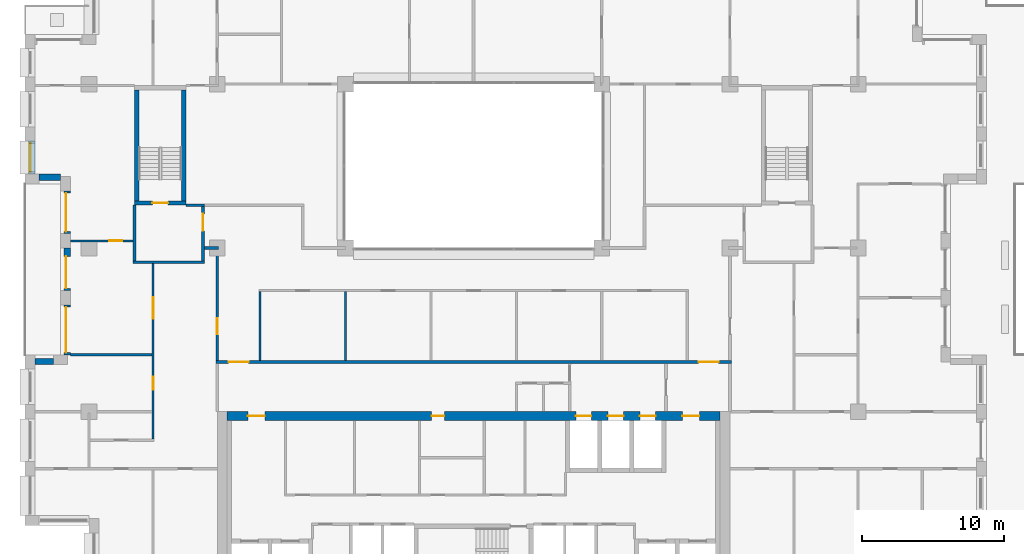
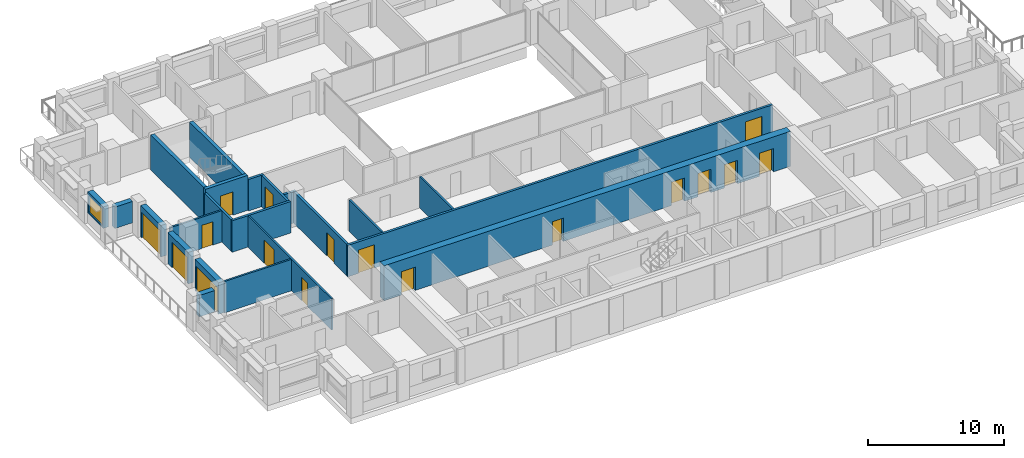
# One storey, part 9 of 17: 22 walls, 17 doors, 1 window, 18 openings.
"""IFC4 building model written with IfcOpenShell, lengths in metres."""

from ifc_helpers import new_model, si_unit, direction, frame, frame_2d, origin, place, context, subcontext, project, spatial, rectangle, extrude, material, layer, layer_set, type_object, element, fill, save


model = new_model("IFC4")

# Units and contexts
model_context = context("Model", 3, precision=1e-05, world=origin(), true_north=direction((0.0, 1.0)))
body_context = subcontext(model_context, "Body", "Model", "MODEL_VIEW")
ifc_project = project(units=[si_unit("LENGTHUNIT", "METRE"), si_unit("AREAUNIT", "SQUARE_METRE"), si_unit("VOLUMEUNIT", "CUBIC_METRE"), si_unit("PLANEANGLEUNIT", "RADIAN"), si_unit("MASSUNIT", "GRAM", prefix="KILO")], contexts=[model_context])

# Site, building, storey
site_placement = place(None, origin())
site = spatial("IfcSite", under=ifc_project, at=site_placement, CompositionType="ELEMENT")
building_placement = place(site_placement, origin())
building = spatial("IfcBuilding", under=site, at=building_placement, Name="Brigalow Station Residences", CompositionType="ELEMENT")
storey_placement = place(building_placement, frame((0.0, 0.0, 141.300048828125)))
storey = spatial("IfcBuildingStorey", under=building, at=storey_placement, Name="L40", CompositionType="ELEMENT", Elevation=141.300048828125)

# Wall, opening, window
ifc_material_1 = material(Name="Clay brick masonry", Category="masonry")
ifc_layer_1 = layer(ifc_material_1, 0.449951171875)
ifc_layer_set_1 = layer_set([ifc_layer_1], Name="BRICK INFILL WALL 450")
wall_type_1 = type_object("IfcWallType", Name="BRICK INFILL WALL 450", PredefinedType="SOLIDWALL", material=ifc_layer_set_1)
wall_1_placement = place(storey_placement, frame((4.97509765625, 31.5, 0.89990234375), z_axis=(0.0, 0.0, 1.0), x_axis=(0.0, -1.0, 0.0)))
wall_1 = element("IfcWall", 1, at=wall_1_placement, inside=storey, type_object=wall_type_1, Name="L40/ewall/W-L40-39", PredefinedType="SOLIDWALL", context=body_context, shape_type="SweptSolid", body=[
    extrude(rectangle(XDim=2.300048828125, YDim=0.449951171875, at=frame_2d((1.14990234375, 0.0))), origin(), (0.0, 0.0, 1.0), 1.929931640625),
])
opening_1_placement = place(wall_1_placement, frame((0.14990234375, 0.0, 0.14990234375)))
opening_1 = element("IfcOpeningElement", 2, at=opening_1_placement, cuts=wall_1, Name="Opening WT-7", PredefinedType="OPENING", context=body_context, shape_type="SweptSolid", body=[
    extrude(rectangle(XDim=2.0, YDim=1.5, at=frame_2d((1.0, 0.75))), frame((0.0, 0.23486328125, 0.0), z_axis=(0.0, -1.0, 0.0), x_axis=(1.0, 0.0, 0.0)), (0.0, 0.0, 1.0), 0.469970703125),
])
ifc_material_2 = material(Name="Anodised aluminium frame with double glazing", Category="aluminium")
window_type = type_object("IfcWindowType", Name="WINDOW 2000x1500", PartitioningType="SINGLE_PANEL", PredefinedType="WINDOW", material=ifc_material_2)
window_placement = place(opening_1_placement, origin())
window = element("IfcWindow", 3, at=window_placement, inside=storey, type_object=window_type, Name="L40/window/W-L40-39", OverallHeight=1.5, OverallWidth=2.0, PartitioningType="SINGLE_PANEL", PredefinedType="WINDOW", context=body_context, shape_type="SweptSolid", body=[
    extrude(rectangle(XDim=2.0, YDim=1.5, at=frame_2d((1.0, 0.75))), frame((0.0, -0.06494140625, 0.0), z_axis=(0.0, -1.0, 0.0), x_axis=(1.0, 0.0, 0.0)), (0.0, 0.0, 1.0), 0.06005859375),
])
fill(opening_1, window)

# Wall
wall_2_placement = place(storey_placement, frame((5.5, 28.97509765625, 0.89990234375), z_axis=(0.0, 0.0, 1.0), x_axis=(1.0, 0.0, 0.0)))
element("IfcWall", 4, at=wall_2_placement, inside=storey, type_object=wall_type_1, Name="L40/ewall/W-L40-40", PredefinedType="SOLIDWALL", context=body_context, shape_type="SweptSolid", body=[
    extrude(rectangle(XDim=1.5, YDim=0.449951171875, at=frame_2d((0.75, 0.0))), origin(), (0.0, 0.0, 1.0), 1.929931640625),
])

# Wall, opening, door
wall_3_placement = place(storey_placement, frame((7.47509765625, 28.0, 0.0), z_axis=(0.0, 0.0, 1.0), x_axis=(0.0, -1.0, 0.0)))
wall_3 = element("IfcWall", 5, at=wall_3_placement, inside=storey, type_object=wall_type_1, Name="L40/ewall/W-L40-41", PredefinedType="SOLIDWALL", context=body_context, shape_type="SweptSolid", body=[
    extrude(rectangle(XDim=3.0, YDim=0.449951171875, at=frame_2d((1.5, 0.0))), origin(), (0.0, 0.0, 1.0), 2.829833984375),
])
opening_2_placement = place(wall_3_placement, frame((0.14990234375, 0.0, 0.0)))
opening_2 = element("IfcOpeningElement", 6, at=opening_2_placement, cuts=wall_3, Name="Opening D-B2700", PredefinedType="OPENING", context=body_context, shape_type="SweptSolid", body=[
    extrude(rectangle(XDim=2.699951171875, YDim=2.300048828125, at=frame_2d((1.35009765625, 1.14990234375))), frame((0.0, 0.23486328125, 0.0), z_axis=(0.0, -1.0, 0.0), x_axis=(1.0, 0.0, 0.0)), (0.0, 0.0, 1.0), 0.469970703125),
])
ifc_material_3 = material(Name="Anodised aluminium frame with double glazing", Category="aluminium")
door_type_1 = type_object("IfcDoorType", Name="BALCONY SLIDING DOOR 2700x2300", OperationType="SLIDING_TO_LEFT", PredefinedType="DOOR", material=ifc_material_3)
door_1_placement = place(opening_2_placement, origin())
door_1 = element("IfcDoor", 7, at=door_1_placement, inside=storey, type_object=door_type_1, Name="L40/balcony-door/W-L40-41", OperationType="SLIDING_TO_LEFT", OverallHeight=2.300048828125, OverallWidth=2.699951171875, PredefinedType="DOOR", context=body_context, shape_type="SweptSolid", body=[
    extrude(rectangle(XDim=2.699951171875, YDim=2.300048828125, at=frame_2d((1.35009765625, 1.14990234375))), frame((0.0, -0.06982421875, 0.0), z_axis=(0.0, -1.0, 0.0), x_axis=(1.0, 0.0, 0.0)), (0.0, 0.0, 1.0), 0.050048828125),
])
fill(opening_2, door_1)

wall_4_placement = place(storey_placement, frame((7.47509765625, 24.0, 0.0), z_axis=(0.0, 0.0, 1.0), x_axis=(0.0, -1.0, 0.0)))
wall_4 = element("IfcWall", 8, at=wall_4_placement, inside=storey, type_object=wall_type_1, Name="L40/ewall/W-L40-42", PredefinedType="SOLIDWALL", context=body_context, shape_type="SweptSolid", body=[
    extrude(rectangle(XDim=3.0, YDim=0.449951171875, at=frame_2d((1.5, 0.0))), origin(), (0.0, 0.0, 1.0), 2.829833984375),
])
opening_3_placement = place(wall_4_placement, frame((0.5849609375, 0.0, 0.0)))
opening_3 = element("IfcOpeningElement", 9, at=opening_3_placement, cuts=wall_4, Name="Opening D-B2250", PredefinedType="OPENING", context=body_context, shape_type="SweptSolid", body=[
    extrude(rectangle(XDim=2.25, YDim=2.300048828125, at=frame_2d((1.125, 1.14990234375))), frame((0.0, 0.23486328125, 0.0), z_axis=(0.0, -1.0, 0.0), x_axis=(1.0, 0.0, 0.0)), (0.0, 0.0, 1.0), 0.469970703125),
])
ifc_material_4 = material(Name="Anodised aluminium frame with double glazing", Category="aluminium")
door_type_2 = type_object("IfcDoorType", Name="BALCONY SLIDING DOOR 2250x2300", OperationType="SLIDING_TO_LEFT", PredefinedType="DOOR", material=ifc_material_4)
door_2_placement = place(opening_3_placement, origin())
door_2 = element("IfcDoor", 10, at=door_2_placement, inside=storey, type_object=door_type_2, Name="L40/balcony-door/W-L40-42", OperationType="SLIDING_TO_LEFT", OverallHeight=2.300048828125, OverallWidth=2.25, PredefinedType="DOOR", context=body_context, shape_type="SweptSolid", body=[
    extrude(rectangle(XDim=2.25, YDim=2.300048828125, at=frame_2d((1.125, 1.14990234375))), frame((0.0, -0.06982421875, 0.0), z_axis=(0.0, -1.0, 0.0), x_axis=(1.0, 0.0, 0.0)), (0.0, 0.0, 1.0), 0.050048828125),
])
fill(opening_3, door_2)

wall_5_placement = place(storey_placement, frame((7.47509765625, 20.0, 0.0), z_axis=(0.0, 0.0, 1.0), x_axis=(0.0, -1.0, 0.0)))
wall_5 = element("IfcWall", 11, at=wall_5_placement, inside=storey, type_object=wall_type_1, Name="L40/ewall/W-L40-43", PredefinedType="SOLIDWALL", context=body_context, shape_type="SweptSolid", body=[
    extrude(rectangle(XDim=3.5, YDim=0.449951171875, at=frame_2d((1.75, 0.0))), origin(), (0.0, 0.0, 1.0), 2.829833984375),
])
opening_4_placement = place(wall_5_placement, frame((0.14990234375, 0.0, 0.0)))
opening_4 = element("IfcOpeningElement", 12, at=opening_4_placement, cuts=wall_5, Name="Opening D-B3200", PredefinedType="OPENING", context=body_context, shape_type="SweptSolid", body=[
    extrude(rectangle(XDim=3.199951171875, YDim=2.300048828125, at=frame_2d((1.60009765625, 1.14990234375))), frame((0.0, 0.23486328125, 0.0), z_axis=(0.0, -1.0, 0.0), x_axis=(1.0, 0.0, 0.0)), (0.0, 0.0, 1.0), 0.469970703125),
])
ifc_material_5 = material(Name="Anodised aluminium frame with double glazing", Category="aluminium")
door_type_3 = type_object("IfcDoorType", Name="BALCONY SLIDING DOOR 3200x2300", OperationType="SLIDING_TO_LEFT", PredefinedType="DOOR", material=ifc_material_5)
door_3_placement = place(opening_4_placement, origin())
door_3 = element("IfcDoor", 13, at=door_3_placement, inside=storey, type_object=door_type_3, Name="L40/balcony-door/W-L40-43", OperationType="SLIDING_TO_LEFT", OverallHeight=2.300048828125, OverallWidth=3.199951171875, PredefinedType="DOOR", context=body_context, shape_type="SweptSolid", body=[
    extrude(rectangle(XDim=3.199951171875, YDim=2.300048828125, at=frame_2d((1.60009765625, 1.14990234375))), frame((0.0, -0.06982421875, 0.0), z_axis=(0.0, -1.0, 0.0), x_axis=(1.0, 0.0, 0.0)), (0.0, 0.0, 1.0), 0.050048828125),
])
fill(opening_4, door_3)

# Wall
wall_6_placement = place(storey_placement, frame((6.5, 16.02490234375, 0.89990234375), z_axis=(0.0, 0.0, 1.0), x_axis=(-1.0, 0.0, 0.0)))
element("IfcWall", 14, at=wall_6_placement, inside=storey, type_object=wall_type_1, Name="L40/ewall/W-L40-44", PredefinedType="SOLIDWALL", context=body_context, shape_type="SweptSolid", body=[
    extrude(rectangle(XDim=1.300048828125, YDim=0.449951171875, at=frame_2d((0.64990234375, 0.0))), origin(), (0.0, 0.0, 1.0), 1.929931640625),
])

# Wall, opening, door
ifc_material_6 = material(Name="Concrete C65", Category="concrete")
ifc_layer_2 = layer(ifc_material_6, 0.300048828125)
ifc_layer_set_2 = layer_set([ifc_layer_2], Name="CORE SHEAR WALL 300 C65")
wall_type_2 = type_object("IfcWallType", Name="CORE SHEAR WALL 300 C65", PredefinedType="SHEAR", material=ifc_layer_set_2)
wall_7_placement = place(storey_placement, frame((12.199951171875, 27.14990234375, 0.0), z_axis=(0.0, 0.0, 1.0), x_axis=(1.0, 0.0, 0.0)))
wall_7 = element("IfcWall", 15, at=wall_7_placement, inside=storey, type_object=wall_type_2, Name="CORE WALL ST-S1-S L40", PredefinedType="SHEAR", context=body_context, shape_type="SweptSolid", body=[
    extrude(rectangle(XDim=3.60009765625, YDim=0.300048828125, at=frame_2d((1.800048828125, 0.0))), origin(), (0.0, 0.0, 1.0), 3.14990234375),
])
opening_5_placement = place(wall_7_placement, frame((1.25, 0.0, 0.0)))
opening_5 = element("IfcOpeningElement", 16, at=opening_5_placement, cuts=wall_7, Name="Opening D-5015", PredefinedType="OPENING", context=body_context, shape_type="SweptSolid", body=[
    extrude(rectangle(XDim=1.10009765625, YDim=2.10009765625, at=frame_2d((0.550048828125, 1.050048828125))), frame((0.0, 0.16015625, 0.0), z_axis=(0.0, -1.0, 0.0), x_axis=(1.0, 0.0, 0.0)), (0.0, 0.0, 1.0), 0.320068359375),
])
ifc_material_7 = material(Name="Steel fire door leaf in steel frame", Category="steel")
door_type_4 = type_object("IfcDoorType", Name="STAIR DOOR 1100 x 2100 FD60S", OperationType="SINGLE_SWING_LEFT", PredefinedType="DOOR", material=ifc_material_7)
door_4_placement = place(opening_5_placement, origin())
door_4 = element("IfcDoor", 17, at=door_4_placement, inside=storey, type_object=door_type_4, Name="D-5015", OperationType="SINGLE_SWING_LEFT", OverallHeight=2.10009765625, OverallWidth=1.10009765625, PredefinedType="DOOR", context=body_context, shape_type="SweptSolid", body=[
    extrude(rectangle(XDim=1.10009765625, YDim=2.10009765625, at=frame_2d((0.550048828125, 1.050048828125))), frame((0.0, 0.02490234375, 0.0), z_axis=(0.0, -1.0, 0.0), x_axis=(1.0, 0.0, 0.0)), (0.0, 0.0, 1.0), 0.050048828125),
])
fill(opening_5, door_4)

# Walls
for number, where, z_axis, x_axis, name in (
    (18, (12.35009765625, 27.300048828125, 0.0), (0.0, 0.0, 1.0), (0.0, 1.0, 0.0), "CORE WALL ST-S1-W L40"),
    (19, (15.64990234375, 27.300048828125, 0.0), (0.0, 0.0, 1.0), (0.0, 1.0, 0.0), "CORE WALL ST-S1-E L40"),
):
    element("IfcWall", number, at=place(storey_placement, frame(where, z_axis=z_axis, x_axis=x_axis)), inside=storey, type_object=wall_type_2, Name=name, PredefinedType="SHEAR", context=body_context, shape_type="SweptSolid", body=[
        extrude(rectangle(XDim=7.800048828125, YDim=0.300048828125, at=frame_2d((3.89990234375, 0.0))), origin(), (0.0, 0.0, 1.0), 3.14990234375),
    ])

# Wall, openings, doors
ifc_material_8 = material(Name="Concrete C65", Category="concrete")
ifc_layer_3 = layer(ifc_material_8, 0.60009765625)
ifc_layer_set_3 = layer_set([ifc_layer_3], Name="CORE SHEAR WALL 600 C65")
wall_type_3 = type_object("IfcWallType", Name="CORE SHEAR WALL 600 C65", PredefinedType="SHEAR", material=ifc_layer_set_3)
wall_8_placement = place(storey_placement, frame((18.699951171875, 12.199951171875, 0.0), z_axis=(0.0, 0.0, 1.0), x_axis=(1.0, 0.0, 0.0)))
wall_8 = element("IfcWall", 20, at=wall_8_placement, inside=storey, type_object=wall_type_3, Name="CORE WALL OUT-N L40", PredefinedType="SHEAR", context=body_context, shape_type="SweptSolid", body=[
    extrude(rectangle(XDim=34.60009765625, YDim=0.60009765625, at=frame_2d((17.300048828125, 0.0))), origin(), (0.0, 0.0, 1.0), 3.14990234375),
])
opening_6_placement = place(wall_8_placement, frame((24.47509765625, 0.0, 0.0)))
opening_6 = element("IfcOpeningElement", 21, at=opening_6_placement, cuts=wall_8, Name="Opening LD-LF1", PredefinedType="OPENING", context=body_context, shape_type="SweptSolid", body=[
    extrude(rectangle(XDim=1.10009765625, YDim=2.10009765625, at=frame_2d((0.550048828125, 1.050048828125))), frame((0.0, 0.31005859375, 0.0), z_axis=(0.0, -1.0, 0.0), x_axis=(1.0, 0.0, 0.0)), (0.0, 0.0, 1.0), 0.6201171875),
])
opening_7_placement = place(wall_8_placement, frame((26.72509765625, 0.0, 0.0)))
opening_7 = element("IfcOpeningElement", 22, at=opening_7_placement, cuts=wall_8, Name="Opening LD-LF2", PredefinedType="OPENING", context=body_context, shape_type="SweptSolid", body=[
    extrude(rectangle(XDim=1.10009765625, YDim=2.10009765625, at=frame_2d((0.550048828125, 1.050048828125))), frame((0.0, 0.31005859375, 0.0), z_axis=(0.0, -1.0, 0.0), x_axis=(1.0, 0.0, 0.0)), (0.0, 0.0, 1.0), 0.6201171875),
])
opening_8_placement = place(wall_8_placement, frame((28.97509765625, 0.0, 0.0)))
opening_8 = element("IfcOpeningElement", 23, at=opening_8_placement, cuts=wall_8, Name="Opening LD-LG1", PredefinedType="OPENING", context=body_context, shape_type="SweptSolid", body=[
    extrude(rectangle(XDim=1.10009765625, YDim=2.10009765625, at=frame_2d((0.550048828125, 1.050048828125))), frame((0.0, 0.31005859375, 0.0), z_axis=(0.0, -1.0, 0.0), x_axis=(1.0, 0.0, 0.0)), (0.0, 0.0, 1.0), 0.6201171875),
])
opening_9_placement = place(wall_8_placement, frame((14.35009765625, 0.0, 0.0)))
opening_9 = element("IfcOpeningElement", 24, at=opening_9_placement, cuts=wall_8, Name="Opening D-5113", PredefinedType="OPENING", context=body_context, shape_type="SweptSolid", body=[
    extrude(rectangle(XDim=0.89990234375, YDim=2.10009765625, at=frame_2d((0.449951171875, 1.050048828125))), frame((0.0, 0.31005859375, 0.0), z_axis=(0.0, -1.0, 0.0), x_axis=(1.0, 0.0, 0.0)), (0.0, 0.0, 1.0), 0.6201171875),
])
opening_10_placement = place(wall_8_placement, frame((1.449951171875, 0.0, 0.0)))
opening_10 = element("IfcOpeningElement", 25, at=opening_10_placement, cuts=wall_8, Name="Opening D-5011", PredefinedType="OPENING", context=body_context, shape_type="SweptSolid", body=[
    extrude(rectangle(XDim=1.199951171875, YDim=2.10009765625, at=frame_2d((0.60009765625, 1.050048828125))), frame((0.0, 0.31005859375, 0.0), z_axis=(0.0, -1.0, 0.0), x_axis=(1.0, 0.0, 0.0)), (0.0, 0.0, 1.0), 0.6201171875),
])
opening_11_placement = place(wall_8_placement, frame((31.949951171875, 0.0, 0.0)))
opening_11 = element("IfcOpeningElement", 26, at=opening_11_placement, cuts=wall_8, Name="Opening D-5012", PredefinedType="OPENING", context=body_context, shape_type="SweptSolid", body=[
    extrude(rectangle(XDim=1.199951171875, YDim=2.10009765625, at=frame_2d((0.60009765625, 1.050048828125))), frame((0.0, 0.31005859375, 0.0), z_axis=(0.0, -1.0, 0.0), x_axis=(1.0, 0.0, 0.0)), (0.0, 0.0, 1.0), 0.6201171875),
])
ifc_material_9 = material(Name="Steel fire door leaf in steel frame", Category="steel")
door_type_5 = type_object("IfcDoorType", Name="CORE CORRIDOR DOOR 1200 x 2100 FD60S", OperationType="SINGLE_SWING_LEFT", PredefinedType="DOOR", material=ifc_material_9)
door_5_placement = place(opening_10_placement, frame((1.199951171875, 0.0, 0.0), z_axis=(0.0, 0.0, 1.0), x_axis=(-1.0, 0.0, 0.0)))
door_5 = element("IfcDoor", 27, at=door_5_placement, inside=storey, type_object=door_type_5, Name="D-5011", OperationType="SINGLE_SWING_LEFT", OverallHeight=2.10009765625, OverallWidth=1.199951171875, PredefinedType="DOOR", context=body_context, shape_type="SweptSolid", body=[
    extrude(rectangle(XDim=1.199951171875, YDim=2.10009765625, at=frame_2d((0.60009765625, 1.050048828125))), frame((0.0, 0.02490234375, 0.0), z_axis=(0.0, -1.0, 0.0), x_axis=(1.0, 0.0, 0.0)), (0.0, 0.0, 1.0), 0.050048828125),
])
fill(opening_10, door_5)
door_6_placement = place(opening_11_placement, frame((1.199951171875, 0.0, 0.0), z_axis=(0.0, 0.0, 1.0), x_axis=(-1.0, 0.0, 0.0)))
door_6 = element("IfcDoor", 28, at=door_6_placement, inside=storey, type_object=door_type_5, Name="D-5012", OperationType="SINGLE_SWING_RIGHT", OverallHeight=2.10009765625, OverallWidth=1.199951171875, PredefinedType="DOOR", context=body_context, shape_type="SweptSolid", body=[
    extrude(rectangle(XDim=1.199951171875, YDim=2.10009765625, at=frame_2d((0.60009765625, 1.050048828125))), frame((0.0, 0.02490234375, 0.0), z_axis=(0.0, -1.0, 0.0), x_axis=(1.0, 0.0, 0.0)), (0.0, 0.0, 1.0), 0.050048828125),
])
fill(opening_11, door_6)
ifc_material_10 = material(Name="Stainless steel sliding door leaves", Category="steel")
door_type_6 = type_object("IfcDoorType", Name="LIFT LANDING DOOR 1100 x 2100", OperationType="DOUBLE_DOOR_SLIDING", PredefinedType="DOOR", material=ifc_material_10)
door_7_placement = place(opening_6_placement, origin())
door_7 = element("IfcDoor", 29, at=door_7_placement, inside=storey, type_object=door_type_6, Name="LANDING DOOR LF1", OperationType="DOUBLE_DOOR_SLIDING", OverallHeight=2.10009765625, OverallWidth=1.10009765625, PredefinedType="DOOR", context=body_context, shape_type="SweptSolid", body=[
    extrude(rectangle(XDim=1.10009765625, YDim=2.10009765625, at=frame_2d((0.550048828125, 1.050048828125))), frame((0.0, 0.02490234375, 0.0), z_axis=(0.0, -1.0, 0.0), x_axis=(1.0, 0.0, 0.0)), (0.0, 0.0, 1.0), 0.050048828125),
])
fill(opening_6, door_7)
door_8_placement = place(opening_7_placement, origin())
door_8 = element("IfcDoor", 30, at=door_8_placement, inside=storey, type_object=door_type_6, Name="LANDING DOOR LF2", OperationType="DOUBLE_DOOR_SLIDING", OverallHeight=2.10009765625, OverallWidth=1.10009765625, PredefinedType="DOOR", context=body_context, shape_type="SweptSolid", body=[
    extrude(rectangle(XDim=1.10009765625, YDim=2.10009765625, at=frame_2d((0.550048828125, 1.050048828125))), frame((0.0, 0.02490234375, 0.0), z_axis=(0.0, -1.0, 0.0), x_axis=(1.0, 0.0, 0.0)), (0.0, 0.0, 1.0), 0.050048828125),
])
fill(opening_7, door_8)
door_9_placement = place(opening_8_placement, origin())
door_9 = element("IfcDoor", 31, at=door_9_placement, inside=storey, type_object=door_type_6, Name="LANDING DOOR LG1", OperationType="DOUBLE_DOOR_SLIDING", OverallHeight=2.10009765625, OverallWidth=1.10009765625, PredefinedType="DOOR", context=body_context, shape_type="SweptSolid", body=[
    extrude(rectangle(XDim=1.10009765625, YDim=2.10009765625, at=frame_2d((0.550048828125, 1.050048828125))), frame((0.0, 0.02490234375, 0.0), z_axis=(0.0, -1.0, 0.0), x_axis=(1.0, 0.0, 0.0)), (0.0, 0.0, 1.0), 0.050048828125),
])
fill(opening_8, door_9)
ifc_material_11 = material(Name="Steel door leaf in steel frame", Category="steel")
door_type_7 = type_object("IfcDoorType", Name="SERVICE ROOM DOOR 900 x 2100 FD60", OperationType="SINGLE_SWING_LEFT", PredefinedType="DOOR", material=ifc_material_11)
door_10_placement = place(opening_9_placement, frame((0.89990234375, 0.0, 0.0), z_axis=(0.0, 0.0, 1.0), x_axis=(-1.0, 0.0, 0.0)))
door_10 = element("IfcDoor", 32, at=door_10_placement, inside=storey, type_object=door_type_7, Name="D-5113", OperationType="SINGLE_SWING_RIGHT", OverallHeight=2.10009765625, OverallWidth=0.89990234375, PredefinedType="DOOR", context=body_context, shape_type="SweptSolid", body=[
    extrude(rectangle(XDim=0.89990234375, YDim=2.10009765625, at=frame_2d((0.449951171875, 1.050048828125))), frame((0.0, 0.02490234375, 0.0), z_axis=(0.0, -1.0, 0.0), x_axis=(1.0, 0.0, 0.0)), (0.0, 0.0, 1.0), 0.050048828125),
])
fill(opening_9, door_10)

# Walls
ifc_material_12 = material(Name="Concrete blockwork", Category="masonry")
ifc_layer_4 = layer(ifc_material_12, 0.199951171875)
ifc_layer_set_4 = layer_set([ifc_layer_4], Name="FIRE RATED CORE PARTITION 200")
wall_type_4 = type_object("IfcWallType", Name="FIRE RATED CORE PARTITION 200", PredefinedType="PARTITIONING", material=ifc_layer_set_4)
wall_9_placement = place(storey_placement, frame((12.10009765625, 23.0, 0.0), z_axis=(0.0, 0.0, 1.0), x_axis=(1.0, 0.0, 0.0)))
element("IfcWall", 33, at=wall_9_placement, inside=storey, type_object=wall_type_4, Name="PW-5023", PredefinedType="PARTITIONING", context=body_context, shape_type="SweptSolid", body=[
    extrude(rectangle(XDim=5.0, YDim=0.199951171875, at=frame_2d((2.5, 0.0))), origin(), (0.0, 0.0, 1.0), 2.829833984375),
])
wall_10_placement = place(storey_placement, frame((15.800048828125, 27.0, 0.0), z_axis=(0.0, 0.0, 1.0), x_axis=(1.0, 0.0, 0.0)))
element("IfcWall", 34, at=wall_10_placement, inside=storey, type_object=wall_type_4, Name="PW-5025", PredefinedType="PARTITIONING", context=body_context, shape_type="SweptSolid", body=[
    extrude(rectangle(XDim=1.300048828125, YDim=0.199951171875, at=frame_2d((0.64990234375, 0.0))), origin(), (0.0, 0.0, 1.0), 2.829833984375),
])
wall_11_placement = place(storey_placement, frame((12.199951171875, 23.10009765625, 0.0), z_axis=(0.0, 0.0, 1.0), x_axis=(0.0, 1.0, 0.0)))
element("IfcWall", 35, at=wall_11_placement, inside=storey, type_object=wall_type_4, Name="PW-5034", PredefinedType="PARTITIONING", context=body_context, shape_type="SweptSolid", body=[
    extrude(rectangle(XDim=3.89990234375, YDim=0.199951171875, at=frame_2d((1.949951171875, 0.0))), origin(), (0.0, 0.0, 1.0), 2.829833984375),
])

# Wall, opening, door
wall_12_placement = place(storey_placement, frame((17.0, 23.10009765625, 0.0), z_axis=(0.0, 0.0, 1.0), x_axis=(0.0, 1.0, 0.0)))
wall_12 = element("IfcWall", 36, at=wall_12_placement, inside=storey, type_object=wall_type_4, Name="PW-5035", PredefinedType="PARTITIONING", context=body_context, shape_type="SweptSolid", body=[
    extrude(rectangle(XDim=3.7998046875, YDim=0.199951171875, at=frame_2d((1.89990234375, 0.0))), origin(), (0.0, 0.0, 1.0), 2.829833984375),
])
opening_12_placement = place(wall_12_placement, frame((2.10009765625, 0.0, 0.0)))
opening_12 = element("IfcOpeningElement", 37, at=opening_12_placement, cuts=wall_12, Name="Opening D-5016", PredefinedType="OPENING", context=body_context, shape_type="SweptSolid", body=[
    extrude(rectangle(XDim=1.199951171875, YDim=2.10009765625, at=frame_2d((0.60009765625, 1.050048828125))), frame((0.0, 0.10986328125, 0.0), z_axis=(0.0, -1.0, 0.0), x_axis=(1.0, 0.0, 0.0)), (0.0, 0.0, 1.0), 0.219970703125),
])
ifc_material_13 = material(Name="Steel fire door leaf in steel frame", Category="steel")
door_type_8 = type_object("IfcDoorType", Name="STAIR LOBBY DOOR 1200 x 2100 FD60S", OperationType="SINGLE_SWING_LEFT", PredefinedType="DOOR", material=ifc_material_13)
door_11_placement = place(opening_12_placement, origin())
door_11 = element("IfcDoor", 38, at=door_11_placement, inside=storey, type_object=door_type_8, Name="D-5016", OperationType="SINGLE_SWING_RIGHT", OverallHeight=2.10009765625, OverallWidth=1.199951171875, PredefinedType="DOOR", context=body_context, shape_type="SweptSolid", body=[
    extrude(rectangle(XDim=1.199951171875, YDim=2.10009765625, at=frame_2d((0.60009765625, 1.050048828125))), frame((0.0, 0.02490234375, 0.0), z_axis=(0.0, -1.0, 0.0), x_axis=(1.0, 0.0, 0.0)), (0.0, 0.0, 1.0), 0.050048828125),
])
fill(opening_12, door_11)

# Wall
ifc_material_14 = material(Name="Plasterboard on steel stud partition", Category="steel")
ifc_layer_5 = layer(ifc_material_14, 0.14990234375)
ifc_layer_set_5 = layer_set([ifc_layer_5], Name="FLAT PARTITION 150")
wall_type_5 = type_object("IfcWallType", Name="FLAT PARTITION 150", PredefinedType="PARTITIONING", material=ifc_layer_set_5)
wall_13_placement = place(storey_placement, frame((7.699951171875, 16.5, 0.0), z_axis=(0.0, 0.0, 1.0), x_axis=(1.0, 0.0, 0.0)))
element("IfcWall", 39, at=wall_13_placement, inside=storey, type_object=wall_type_5, Name="PW-3A14", PredefinedType="PARTITIONING", context=body_context, shape_type="SweptSolid", body=[
    extrude(rectangle(XDim=5.72509765625, YDim=0.14990234375, at=frame_2d((2.862548828125, 0.0))), origin(), (0.0, 0.0, 1.0), 2.829833984375),
])

# Wall, opening, door
wall_14_placement = place(storey_placement, frame((7.699951171875, 24.5, 0.0), z_axis=(0.0, 0.0, 1.0), x_axis=(1.0, 0.0, 0.0)))
wall_14 = element("IfcWall", 40, at=wall_14_placement, inside=storey, type_object=wall_type_5, Name="PW-3A16", PredefinedType="PARTITIONING", context=body_context, shape_type="SweptSolid", body=[
    extrude(rectangle(XDim=4.400146484375, YDim=0.14990234375, at=frame_2d((2.2001953125, 0.0))), origin(), (0.0, 0.0, 1.0), 2.829833984375),
])
opening_13_placement = place(wall_14_placement, frame((2.72509765625, 0.0, 0.0)))
opening_13 = element("IfcOpeningElement", 41, at=opening_13_placement, cuts=wall_14, Name="Opening D-3A09", PredefinedType="OPENING", context=body_context, shape_type="SweptSolid", body=[
    extrude(rectangle(XDim=0.89990234375, YDim=2.10009765625, at=frame_2d((0.449951171875, 1.050048828125))), frame((0.0, 0.0849609375, 0.0), z_axis=(0.0, -1.0, 0.0), x_axis=(1.0, 0.0, 0.0)), (0.0, 0.0, 1.0), 0.169921875),
])
ifc_material_15 = material(Name="Solid-core timber door leaf", Category="wood")
door_type_9 = type_object("IfcDoorType", Name="INTERNAL DOOR 900 x 2100", OperationType="SINGLE_SWING_LEFT", PredefinedType="DOOR", material=ifc_material_15)
door_12_placement = place(opening_13_placement, frame((0.89990234375, 0.0, 0.0), z_axis=(0.0, 0.0, 1.0), x_axis=(-1.0, 0.0, 0.0)))
door_12 = element("IfcDoor", 42, at=door_12_placement, inside=storey, type_object=door_type_9, Name="D-3A09", OperationType="SINGLE_SWING_LEFT", OverallHeight=2.10009765625, OverallWidth=0.89990234375, PredefinedType="DOOR", context=body_context, shape_type="SweptSolid", body=[
    extrude(rectangle(XDim=0.89990234375, YDim=2.10009765625, at=frame_2d((0.449951171875, 1.050048828125))), frame((0.0, 0.02490234375, 0.0), z_axis=(0.0, -1.0, 0.0), x_axis=(1.0, 0.0, 0.0)), (0.0, 0.0, 1.0), 0.050048828125),
])
fill(opening_13, door_12)

# Wall
wall_15_placement = place(storey_placement, frame((21.0, 16.10009765625, 0.0), z_axis=(0.0, 0.0, 1.0), x_axis=(0.0, 1.0, 0.0)))
element("IfcWall", 43, at=wall_15_placement, inside=storey, type_object=wall_type_5, Name="PW-3A33", PredefinedType="PARTITIONING", context=body_context, shape_type="SweptSolid", body=[
    extrude(rectangle(XDim=4.824951171875, YDim=0.14990234375, at=frame_2d((2.41259765625, 0.0))), origin(), (0.0, 0.0, 1.0), 2.829833984375),
])

# Wall, openings, doors
wall_16_placement = place(storey_placement, frame((13.5, 10.574951171875, 0.0), z_axis=(0.0, 0.0, 1.0), x_axis=(0.0, 1.0, 0.0)))
wall_16 = element("IfcWall", 44, at=wall_16_placement, inside=storey, type_object=wall_type_5, Name="PW-3A39", PredefinedType="PARTITIONING", context=body_context, shape_type="SweptSolid", body=[
    extrude(rectangle(XDim=12.324951171875, YDim=0.14990234375, at=frame_2d((6.16259765625, 0.0))), origin(), (0.0, 0.0, 1.0), 2.829833984375),
])
opening_14_placement = place(wall_16_placement, frame((3.47509765625, 0.0, 0.0)))
opening_14 = element("IfcOpeningElement", 45, at=opening_14_placement, cuts=wall_16, Name="Opening D-3A07", PredefinedType="OPENING", context=body_context, shape_type="SweptSolid", body=[
    extrude(rectangle(XDim=0.89990234375, YDim=2.10009765625, at=frame_2d((0.449951171875, 1.050048828125))), frame((0.0, 0.0849609375, 0.0), z_axis=(0.0, -1.0, 0.0), x_axis=(1.0, 0.0, 0.0)), (0.0, 0.0, 1.0), 0.169921875),
])
opening_15_placement = place(wall_16_placement, frame((8.449951171875, 0.0, 0.0)))
opening_15 = element("IfcOpeningElement", 46, at=opening_15_placement, cuts=wall_16, Name="Opening D-3A08", PredefinedType="OPENING", context=body_context, shape_type="SweptSolid", body=[
    extrude(rectangle(XDim=1.5, YDim=2.10009765625, at=frame_2d((0.75, 1.050048828125))), frame((0.0, 0.0849609375, 0.0), z_axis=(0.0, -1.0, 0.0), x_axis=(1.0, 0.0, 0.0)), (0.0, 0.0, 1.0), 0.169921875),
])
door_13_placement = place(opening_14_placement, origin())
door_13 = element("IfcDoor", 47, at=door_13_placement, inside=storey, type_object=door_type_9, Name="D-3A07", OperationType="SINGLE_SWING_LEFT", OverallHeight=2.10009765625, OverallWidth=0.89990234375, PredefinedType="DOOR", context=body_context, shape_type="SweptSolid", body=[
    extrude(rectangle(XDim=0.89990234375, YDim=2.10009765625, at=frame_2d((0.449951171875, 1.050048828125))), frame((0.0, 0.02490234375, 0.0), z_axis=(0.0, -1.0, 0.0), x_axis=(1.0, 0.0, 0.0)), (0.0, 0.0, 1.0), 0.050048828125),
])
fill(opening_14, door_13)
ifc_material_16 = material(Name="Solid-core timber door leaf", Category="wood")
door_type_10 = type_object("IfcDoorType", Name="INTERNAL DOUBLE DOOR 1500 x 2100", OperationType="DOUBLE_DOOR_SINGLE_SWING", PredefinedType="DOOR", material=ifc_material_16)
door_14_placement = place(opening_15_placement, origin())
door_14 = element("IfcDoor", 48, at=door_14_placement, inside=storey, type_object=door_type_10, Name="D-3A08", OperationType="DOUBLE_DOOR_SINGLE_SWING", OverallHeight=2.10009765625, OverallWidth=1.5, PredefinedType="DOOR", context=body_context, shape_type="SweptSolid", body=[
    extrude(rectangle(XDim=1.5, YDim=2.10009765625, at=frame_2d((0.75, 1.050048828125))), frame((0.0, 0.02490234375, 0.0), z_axis=(0.0, -1.0, 0.0), x_axis=(1.0, 0.0, 0.0)), (0.0, 0.0, 1.0), 0.050048828125),
])
fill(opening_15, door_14)

# Walls
wall_17_placement = place(storey_placement, frame((27.0, 16.10009765625, 0.0), z_axis=(0.0, 0.0, 1.0), x_axis=(0.0, 1.0, 0.0)))
element("IfcWall", 49, at=wall_17_placement, inside=storey, type_object=wall_type_5, Name="PW-3A53", PredefinedType="PARTITIONING", context=body_context, shape_type="SweptSolid", body=[
    extrude(rectangle(XDim=4.824951171875, YDim=0.14990234375, at=frame_2d((2.41259765625, 0.0))), origin(), (0.0, 0.0, 1.0), 2.829833984375),
])
ifc_material_17 = material(Name="Plasterboard on steel stud partition", Category="steel")
ifc_layer_6 = layer(ifc_material_17, 0.199951171875)
ifc_layer_set_6 = layer_set([ifc_layer_6], Name="PARTY AND CORRIDOR WALL 200")
wall_type_6 = type_object("IfcWallType", Name="PARTY AND CORRIDOR WALL 200", PredefinedType="PARTITIONING", material=ifc_layer_set_6)
wall_18_placement = place(storey_placement, frame((17.10009765625, 24.0, 0.0), z_axis=(0.0, 0.0, 1.0), x_axis=(1.0, 0.0, 0.0)))
element("IfcWall", 50, at=wall_18_placement, inside=storey, type_object=wall_type_6, Name="PW-3A02", PredefinedType="PARTITIONING", context=body_context, shape_type="SweptSolid", body=[
    extrude(rectangle(XDim=1.0, YDim=0.199951171875, at=frame_2d((0.5, 0.0))), origin(), (0.0, 0.0, 1.0), 2.829833984375),
])

# Wall, openings, doors
wall_19_placement = place(storey_placement, frame((17.89990234375, 16.0, 0.0), z_axis=(0.0, 0.0, 1.0), x_axis=(1.0, 0.0, 0.0)))
wall_19 = element("IfcWall", 51, at=wall_19_placement, inside=storey, type_object=wall_type_6, Name="PW-3A28", PredefinedType="PARTITIONING", context=body_context, shape_type="SweptSolid", body=[
    extrude(rectangle(XDim=36.2001953125, YDim=0.199951171875, at=frame_2d((18.10009765625, 0.0))), origin(), (0.0, 0.0, 1.0), 2.829833984375),
])
opening_16_placement = place(wall_19_placement, frame((0.89990234375, 0.0, 0.0)))
opening_16 = element("IfcOpeningElement", 52, at=opening_16_placement, cuts=wall_19, Name="Opening D-3A01", PredefinedType="OPENING", context=body_context, shape_type="SweptSolid", body=[
    extrude(rectangle(XDim=1.39990234375, YDim=2.10009765625, at=frame_2d((0.699951171875, 1.050048828125))), frame((0.0, 0.10986328125, 0.0), z_axis=(0.0, -1.0, 0.0), x_axis=(1.0, 0.0, 0.0)), (0.0, 0.0, 1.0), 0.219970703125),
])
opening_17_placement = place(wall_19_placement, frame((33.89990234375, 0.0, 0.0)))
opening_17 = element("IfcOpeningElement", 53, at=opening_17_placement, cuts=wall_19, Name="Opening D-3A02", PredefinedType="OPENING", context=body_context, shape_type="SweptSolid", body=[
    extrude(rectangle(XDim=1.39990234375, YDim=2.10009765625, at=frame_2d((0.699951171875, 1.050048828125))), frame((0.0, 0.10986328125, 0.0), z_axis=(0.0, -1.0, 0.0), x_axis=(1.0, 0.0, 0.0)), (0.0, 0.0, 1.0), 0.219970703125),
])
ifc_material_18 = material(Name="Solid-core timber door leaf", Category="wood")
door_type_11 = type_object("IfcDoorType", Name="CORRIDOR FIRE DOOR 1400 x 2100 FRL -/60/30", OperationType="DOUBLE_DOOR_SINGLE_SWING", PredefinedType="DOOR", material=ifc_material_18)
door_15_placement = place(opening_16_placement, frame((1.39990234375, 0.0, 0.0), z_axis=(0.0, 0.0, 1.0), x_axis=(-1.0, 0.0, 0.0)))
door_15 = element("IfcDoor", 54, at=door_15_placement, inside=storey, type_object=door_type_11, Name="D-3A01", OperationType="DOUBLE_DOOR_SINGLE_SWING", OverallHeight=2.10009765625, OverallWidth=1.39990234375, PredefinedType="DOOR", context=body_context, shape_type="SweptSolid", body=[
    extrude(rectangle(XDim=1.39990234375, YDim=2.10009765625, at=frame_2d((0.699951171875, 1.050048828125))), frame((0.0, 0.02490234375, 0.0), z_axis=(0.0, -1.0, 0.0), x_axis=(1.0, 0.0, 0.0)), (0.0, 0.0, 1.0), 0.050048828125),
])
fill(opening_16, door_15)
door_16_placement = place(opening_17_placement, frame((1.39990234375, 0.0, 0.0), z_axis=(0.0, 0.0, 1.0), x_axis=(-1.0, 0.0, 0.0)))
door_16 = element("IfcDoor", 55, at=door_16_placement, inside=storey, type_object=door_type_11, Name="D-3A02", OperationType="DOUBLE_DOOR_SINGLE_SWING", OverallHeight=2.10009765625, OverallWidth=1.39990234375, PredefinedType="DOOR", context=body_context, shape_type="SweptSolid", body=[
    extrude(rectangle(XDim=1.39990234375, YDim=2.10009765625, at=frame_2d((0.699951171875, 1.050048828125))), frame((0.0, 0.02490234375, 0.0), z_axis=(0.0, -1.0, 0.0), x_axis=(1.0, 0.0, 0.0)), (0.0, 0.0, 1.0), 0.050048828125),
])
fill(opening_17, door_16)

# Wall, opening, door
wall_20_placement = place(storey_placement, frame((18.0, 16.10009765625, 0.0), z_axis=(0.0, 0.0, 1.0), x_axis=(0.0, 1.0, 0.0)))
wall_20 = element("IfcWall", 56, at=wall_20_placement, inside=storey, type_object=wall_type_6, Name="PW-3A30", PredefinedType="PARTITIONING", context=body_context, shape_type="SweptSolid", body=[
    extrude(rectangle(XDim=7.7998046875, YDim=0.199951171875, at=frame_2d((3.89990234375, 0.0))), origin(), (0.0, 0.0, 1.0), 2.829833984375),
])
opening_18_placement = place(wall_20_placement, frame((1.85009765625, 0.0, 0.0)))
opening_18 = element("IfcOpeningElement", 57, at=opening_18_placement, cuts=wall_20, Name="Opening D-3A17", PredefinedType="OPENING", context=body_context, shape_type="SweptSolid", body=[
    extrude(rectangle(XDim=1.10009765625, YDim=2.10009765625, at=frame_2d((0.550048828125, 1.050048828125))), frame((0.0, 0.10986328125, 0.0), z_axis=(0.0, -1.0, 0.0), x_axis=(1.0, 0.0, 0.0)), (0.0, 0.0, 1.0), 0.219970703125),
])
ifc_material_19 = material(Name="Solid-core timber door leaf", Category="wood")
door_type_12 = type_object("IfcDoorType", Name="FLAT ENTRANCE DOOR 1100 x 2100 FRL -/60/30", OperationType="SINGLE_SWING_LEFT", PredefinedType="DOOR", material=ifc_material_19)
door_17_placement = place(opening_18_placement, origin())
door_17 = element("IfcDoor", 58, at=door_17_placement, inside=storey, type_object=door_type_12, Name="D-3A17", OperationType="SINGLE_SWING_RIGHT", OverallHeight=2.10009765625, OverallWidth=1.10009765625, PredefinedType="DOOR", context=body_context, shape_type="SweptSolid", body=[
    extrude(rectangle(XDim=1.10009765625, YDim=2.10009765625, at=frame_2d((0.550048828125, 1.050048828125))), frame((0.0, 0.02490234375, 0.0), z_axis=(0.0, -1.0, 0.0), x_axis=(1.0, 0.0, 0.0)), (0.0, 0.0, 1.0), 0.050048828125),
])
fill(opening_18, door_17)

save(model, "model.ifc")
